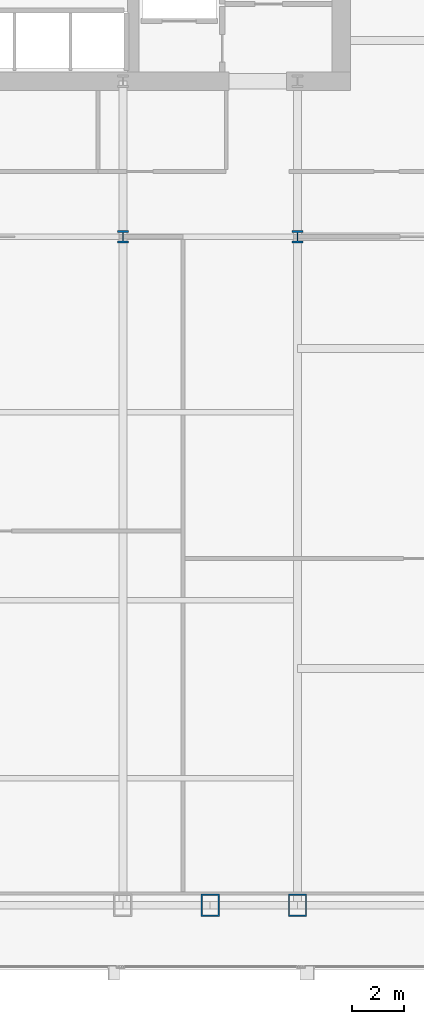
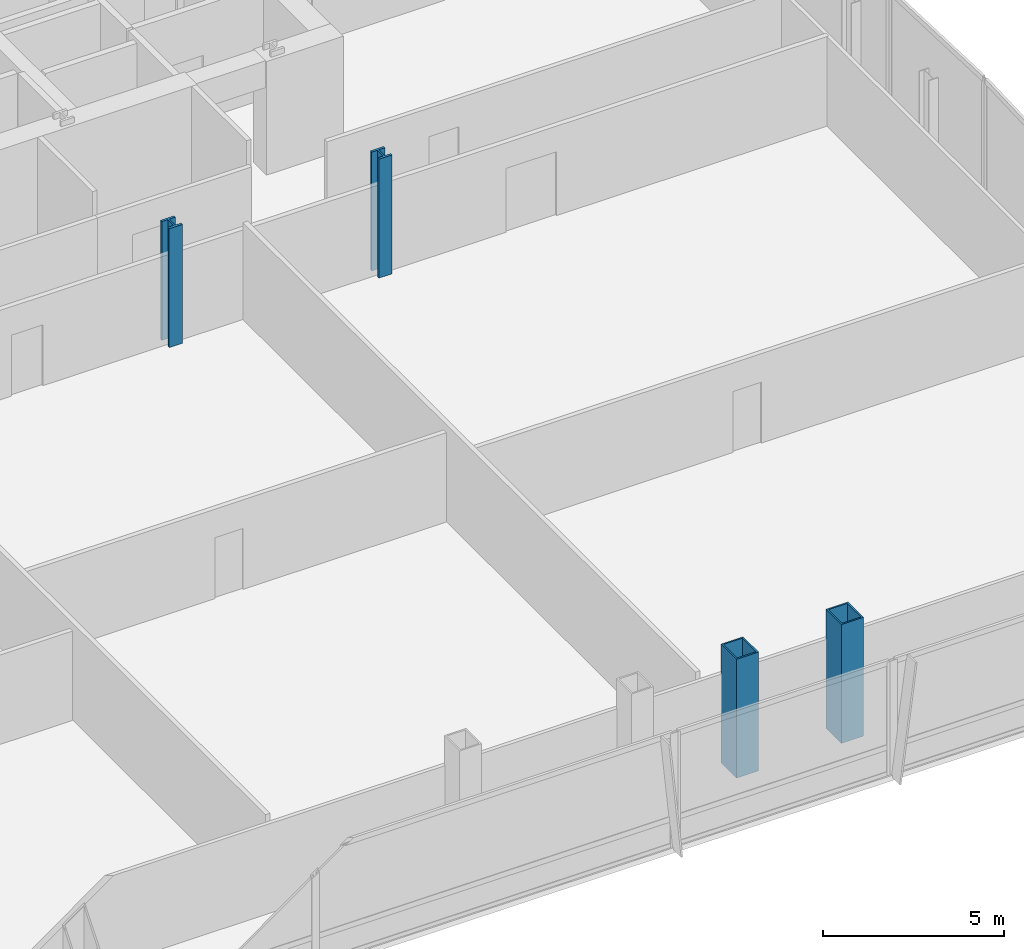
# One storey, part 2 of 30: 4 columns.
"""IFC4 building model written with IfcOpenShell, lengths in metres."""

from ifc_helpers import new_model, si_unit, direction, frame, origin, origin_2d, place, context, subcontext, project, spatial, hollow_rectangle, i_section, extrude, material, material_profile, profile_set, type_object, element, save


model = new_model("IFC4")

# Units and contexts
model_context = context("Model", 3, precision=1e-05, world=origin(), true_north=direction((0.0, 1.0)))
body_context = subcontext(model_context, "Body", "Model", "MODEL_VIEW")
ifc_project = project(units=[si_unit("LENGTHUNIT", "METRE"), si_unit("AREAUNIT", "SQUARE_METRE"), si_unit("VOLUMEUNIT", "CUBIC_METRE"), si_unit("PLANEANGLEUNIT", "RADIAN"), si_unit("MASSUNIT", "GRAM", prefix="KILO")], contexts=[model_context])

# Site, building, storey
site_placement = place(None, origin())
site = spatial("IfcSite", under=ifc_project, at=site_placement, CompositionType="ELEMENT")
building_placement = place(site_placement, origin())
building = spatial("IfcBuilding", under=site, at=building_placement, Name="Khoronbel Lancet Exchange", CompositionType="ELEMENT")
storey_placement = place(building_placement, frame((0.0, 0.0, 98.60009765625)))
storey = spatial("IfcBuildingStorey", under=building, at=storey_placement, Name="L23", CompositionType="ELEMENT", Elevation=98.60009765625)

# Columns
ifc_material = material(Name="Steel S460", Category="steel")
ifc_material_profile_1 = material_profile(ifc_material, hollow_rectangle(XDim=0.699951171875, YDim=0.85009765625, WallThickness=0.050048828125, at=origin_2d()), Name="BOX 850x700x50")
ifc_profile_set_1 = profile_set([ifc_material_profile_1], Name="Steel S460")
column_type_1 = type_object("IfcColumnType", Name="COL-EC2", PredefinedType="COLUMN", material=ifc_profile_set_1)
for number, where, z_axis, x_axis, name in (
    (1, (51.33740234375, 10.14990234375, 0.0), (0.0, 0.0, 1.0), (1.0, 0.0, 0.0), "Structural column SC-EM L23"),
    (2, (54.675048828125, 10.14990234375, 0.0), (0.0, 0.0, 1.0), (1.0, 0.0, 0.0), "Structural column SC-E2 L23"),
):
    element("IfcColumn", number, at=place(storey_placement, frame(where, z_axis=z_axis, x_axis=x_axis)), inside=storey, type_object=column_type_1, Name=name, PredefinedType="COLUMN", context=body_context, shape_type="SweptSolid", body=[
        extrude(hollow_rectangle(XDim=0.699951171875, YDim=0.85009765625, WallThickness=0.050048828125, at=origin_2d()), origin(), (0.0, 0.0, 1.0), 4.0),
    ])
ifc_material_profile_2 = material_profile(ifc_material, i_section(OverallWidth=0.424072265625, OverallDepth=0.47412109375, WebThickness=0.047607421875, FlangeThickness=0.076904296875, at=origin_2d()), Name="HD 400x634")
ifc_profile_set_2 = profile_set([ifc_material_profile_2], Name="Steel S460")
column_type_2 = type_object("IfcColumnType", Name="COL-IC1", PredefinedType="COLUMN", material=ifc_profile_set_2)
for number, where, z_axis, x_axis, name in (
    (3, (48.0, 35.699951171875, 0.0), (0.0, 0.0, 1.0), (1.0, 0.0, 0.0), "Spine gravity column TC3 L23"),
    (4, (54.675048828125, 35.699951171875, 0.0), (0.0, 0.0, 1.0), (1.0, 0.0, 0.0), "Spine gravity column TC4 L23"),
):
    element("IfcColumn", number, at=place(storey_placement, frame(where, z_axis=z_axis, x_axis=x_axis)), inside=storey, type_object=column_type_2, Name=name, PredefinedType="COLUMN", context=body_context, shape_type="SweptSolid", body=[
        extrude(i_section(OverallWidth=0.424072265625, OverallDepth=0.47412109375, WebThickness=0.047607421875, FlangeThickness=0.076904296875, at=origin_2d()), origin(), (0.0, 0.0, 1.0), 4.0),
    ])

save(model, "model.ifc")
